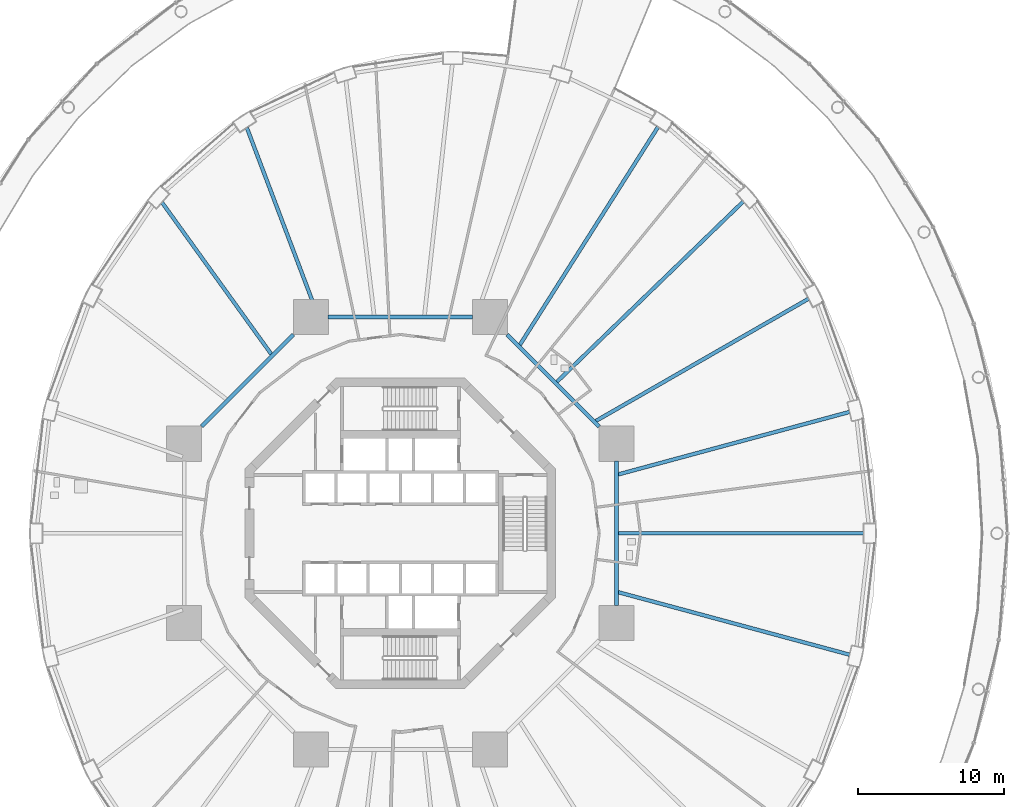
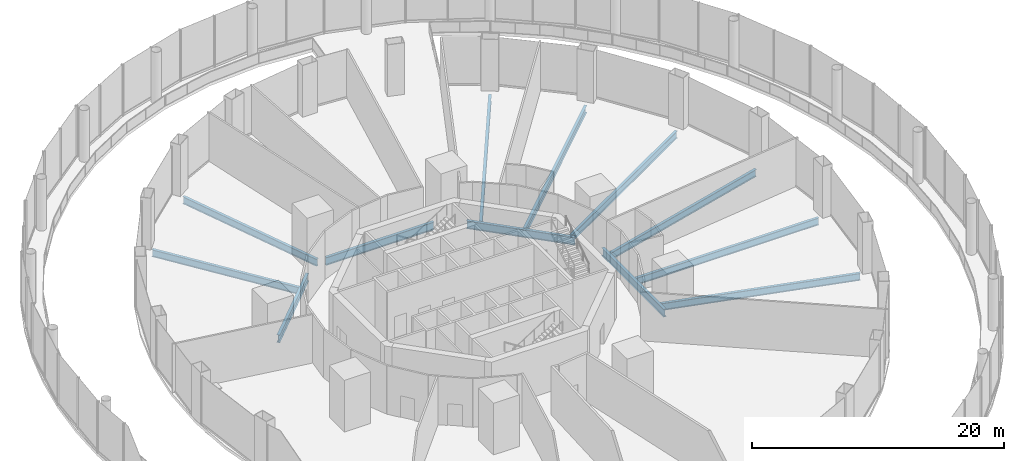
# One storey, part 22 of 47: 12 beams.
"""IFC4 building model written with IfcOpenShell, lengths in metres."""

from ifc_helpers import new_model, si_unit, direction, frame, origin, origin_2d, place, context, subcontext, project, spatial, i_section, extrude, material, material_profile, profile_set, type_object, element, save


model = new_model("IFC4")

# Units and contexts
model_context = context("Model", 3, precision=1e-05, world=origin(), true_north=direction((0.0, 1.0)))
body_context = subcontext(model_context, "Body", "Model", "MODEL_VIEW")
ifc_project = project(units=[si_unit("LENGTHUNIT", "METRE"), si_unit("AREAUNIT", "SQUARE_METRE"), si_unit("VOLUMEUNIT", "CUBIC_METRE"), si_unit("PLANEANGLEUNIT", "RADIAN"), si_unit("MASSUNIT", "GRAM", prefix="KILO")], contexts=[model_context])

# Site, building, storey
site_placement = place(None, origin())
site = spatial("IfcSite", under=ifc_project, at=site_placement, CompositionType="ELEMENT")
building_placement = place(site_placement, origin())
building = spatial("IfcBuilding", under=site, at=building_placement, Name="Nagisa Residences", CompositionType="ELEMENT")
storey_placement = place(building_placement, frame((0.0, 0.0, 7.0)))
storey = spatial("IfcBuildingStorey", under=building, at=storey_placement, Name="L01", CompositionType="ELEMENT", Elevation=7.0)

# Beams
ifc_material_1 = material(Name="Steel ASTM A572 Gr 50", Category="steel")
ifc_material_profile_1 = material_profile(ifc_material_1, i_section(OverallWidth=0.264892578125, OverallDepth=0.7529296875, WebThickness=0.01318359375, FlangeThickness=0.01708984375, at=origin_2d()), Name="W760x147")
ifc_profile_set_1 = profile_set([ifc_material_profile_1], Name="Steel ASTM A572 Gr 50")
beam_type_1 = type_object("IfcBeamType", Name="Inner ring beam W760x147", PredefinedType="BEAM", material=ifc_profile_set_1)
beam_1_placement = place(storey_placement, frame((13.59619140625, 7.308837890625, -0.676513671875), z_axis=(-0.707106781187, 0.707106781187, 0.0), x_axis=(-0.707106781187, -0.707106781187, 0.0)))
element("IfcBeam", 1, at=beam_1_placement, inside=storey, type_object=beam_type_1, Name="beam:L01:ib1", PredefinedType="BEAM", context=body_context, shape_type="SweptSolid", body=[
    extrude(i_section(OverallWidth=0.264892578125, OverallDepth=0.7529296875, WebThickness=0.01318359375, FlangeThickness=0.01708984375, at=origin_2d()), origin(), (0.0, 0.0, 1.0), 8.8916015625),
])
beam_2_placement = place(storey_placement, frame((4.94287109375, 14.781982421875, -0.676513671875), z_axis=(-1.0, 0.0, 0.0), x_axis=(0.0, -1.0, 0.0)))
element("IfcBeam", 2, at=beam_2_placement, inside=storey, type_object=beam_type_1, Name="beam:L01:ib2", PredefinedType="BEAM", context=body_context, shape_type="SweptSolid", body=[
    extrude(i_section(OverallWidth=0.264892578125, OverallDepth=0.7529296875, WebThickness=0.01318359375, FlangeThickness=0.01708984375, at=origin_2d()), origin(), (0.0, 0.0, 1.0), 9.8857421875),
])
beam_3_placement = place(storey_placement, frame((-7.308837890625, 13.59619140625, -0.676513671875), z_axis=(-0.707106781187, -0.707106781187, 0.0), x_axis=(0.707106781187, -0.707106781187, 0.0)))
element("IfcBeam", 3, at=beam_3_placement, inside=storey, type_object=beam_type_1, Name="beam:L01:ib3", PredefinedType="BEAM", context=body_context, shape_type="SweptSolid", body=[
    extrude(i_section(OverallWidth=0.264892578125, OverallDepth=0.7529296875, WebThickness=0.01318359375, FlangeThickness=0.01708984375, at=origin_2d()), origin(), (0.0, 0.0, 1.0), 8.8916015625),
])
beam_4_placement = place(storey_placement, frame((14.781982421875, -4.94287109375, -0.676513671875), z_axis=(0.0, 1.0, 0.0), x_axis=(-1.0, 0.0, 0.0)))
element("IfcBeam", 4, at=beam_4_placement, inside=storey, type_object=beam_type_1, Name="beam:L01:ib8", PredefinedType="BEAM", context=body_context, shape_type="SweptSolid", body=[
    extrude(i_section(OverallWidth=0.264892578125, OverallDepth=0.7529296875, WebThickness=0.01318359375, FlangeThickness=0.01708984375, at=origin_2d()), origin(), (0.0, 0.0, 1.0), 9.8857421875),
])
ifc_material_2 = material(Name="Steel ASTM A572 Gr 50", Category="steel")
ifc_material_profile_2 = material_profile(ifc_material_2, i_section(OverallWidth=0.25390625, OverallDepth=0.68408203125, WebThickness=0.012451171875, FlangeThickness=0.018798828125, at=origin_2d()), Name="W690x140")
ifc_profile_set_2 = profile_set([ifc_material_profile_2], Name="Steel ASTM A572 Gr 50")
beam_type_2 = type_object("IfcBeamType", Name="Radial beam W690x140", PredefinedType="BEAM", material=ifc_profile_set_2)
beam_5_placement = place(storey_placement, frame((31.669921875, 0.0, -0.64208984375), z_axis=(-1.0, 0.0, 0.0), x_axis=(0.0, -1.0, 0.0)))
element("IfcBeam", 5, at=beam_5_placement, inside=storey, type_object=beam_type_2, Name="beam:L01:rb01", PredefinedType="BEAM", context=body_context, shape_type="SweptSolid", body=[
    extrude(i_section(OverallWidth=0.25390625, OverallDepth=0.68408203125, WebThickness=0.012451171875, FlangeThickness=0.018798828125, at=origin_2d()), origin(), (0.0, 0.0, 1.0), 16.775390625),
])
beam_6_placement = place(storey_placement, frame((30.713623046875, 8.29931640625, -0.64208984375), z_axis=(-0.965375968847, -0.260862490162, 0.0), x_axis=(0.260862490162, -0.965375968847, 0.0)))
element("IfcBeam", 6, at=beam_6_placement, inside=storey, type_object=beam_type_2, Name="beam:L01:rb02", PredefinedType="BEAM", context=body_context, shape_type="SweptSolid", body=[
    extrude(i_section(OverallWidth=0.25390625, OverallDepth=0.68408203125, WebThickness=0.012451171875, FlangeThickness=0.018798828125, at=origin_2d()), origin(), (0.0, 0.0, 1.0), 16.3857421875),
])
beam_7_placement = place(storey_placement, frame((27.908447265625, 16.035400390625, -0.64208984375), z_axis=(-0.867068052258, -0.498189715623, 0.0), x_axis=(0.498189715623, -0.867068052258, 0.0)))
element("IfcBeam", 7, at=beam_7_placement, inside=storey, type_object=beam_type_2, Name="beam:L01:rb03", PredefinedType="BEAM", context=body_context, shape_type="SweptSolid", body=[
    extrude(i_section(OverallWidth=0.25390625, OverallDepth=0.68408203125, WebThickness=0.012451171875, FlangeThickness=0.018798828125, at=origin_2d()), origin(), (0.0, 0.0, 1.0), 16.758056640625),
])
beam_8_placement = place(storey_placement, frame((23.443115234375, 22.681640625, -0.64208984375), z_axis=(-0.718678305776, -0.695342716081, 0.0), x_axis=(0.695342716081, -0.718678305776, 0.0)))
element("IfcBeam", 8, at=beam_8_placement, inside=storey, type_object=beam_type_2, Name="beam:L01:rb04", PredefinedType="BEAM", context=body_context, shape_type="SweptSolid", body=[
    extrude(i_section(OverallWidth=0.25390625, OverallDepth=0.68408203125, WebThickness=0.012451171875, FlangeThickness=0.018798828125, at=origin_2d()), origin(), (0.0, 0.0, 1.0), 17.722900390625),
])
beam_9_placement = place(storey_placement, frame((17.61962890625, 27.78271484375, -0.64208984375), z_axis=(-0.53556610664, -0.844493306911, 0.0), x_axis=(0.844493306911, -0.53556610664, 0.0)))
element("IfcBeam", 9, at=beam_9_placement, inside=storey, type_object=beam_type_2, Name="beam:L01:rb05", PredefinedType="BEAM", context=body_context, shape_type="SweptSolid", body=[
    extrude(i_section(OverallWidth=0.25390625, OverallDepth=0.68408203125, WebThickness=0.012451171875, FlangeThickness=0.018798828125, at=origin_2d()), origin(), (0.0, 0.0, 1.0), 17.63525390625),
])
beam_10_placement = place(storey_placement, frame((-10.493896484375, 27.7333984375, -0.64208984375), z_axis=(0.353887892206, -0.935287848606, 0.0), x_axis=(0.935287848606, 0.353887892206, 0.0)))
element("IfcBeam", 10, at=beam_10_placement, inside=storey, type_object=beam_type_2, Name="beam:L01:rb09", PredefinedType="BEAM", context=body_context, shape_type="SweptSolid", body=[
    extrude(i_section(OverallWidth=0.25390625, OverallDepth=0.68408203125, WebThickness=0.012451171875, FlangeThickness=0.018798828125, at=origin_2d()), origin(), (0.0, 0.0, 1.0), 13.725830078125),
])
beam_11_placement = place(storey_placement, frame((-16.29443359375, 22.62255859375, -0.64208984375), z_axis=(0.58445507622, -0.811426068031, 0.0), x_axis=(0.811426068031, 0.58445507622, 0.0)))
element("IfcBeam", 11, at=beam_11_placement, inside=storey, type_object=beam_type_2, Name="beam:L01:rb10", PredefinedType="BEAM", context=body_context, shape_type="SweptSolid", body=[
    extrude(i_section(OverallWidth=0.25390625, OverallDepth=0.68408203125, WebThickness=0.012451171875, FlangeThickness=0.018798828125, at=origin_2d()), origin(), (0.0, 0.0, 1.0), 12.78955078125),
])
beam_12_placement = place(storey_placement, frame((30.713623046875, -8.29931640625, -0.64208984375), z_axis=(-0.965375968847, 0.260862490162, 0.0), x_axis=(-0.260862490162, -0.965375968847, 0.0)))
element("IfcBeam", 12, at=beam_12_placement, inside=storey, type_object=beam_type_2, Name="beam:L01:rb24", PredefinedType="BEAM", context=body_context, shape_type="SweptSolid", body=[
    extrude(i_section(OverallWidth=0.25390625, OverallDepth=0.68408203125, WebThickness=0.012451171875, FlangeThickness=0.018798828125, at=origin_2d()), origin(), (0.0, 0.0, 1.0), 16.3857421875),
])

save(model, "model.ifc")
